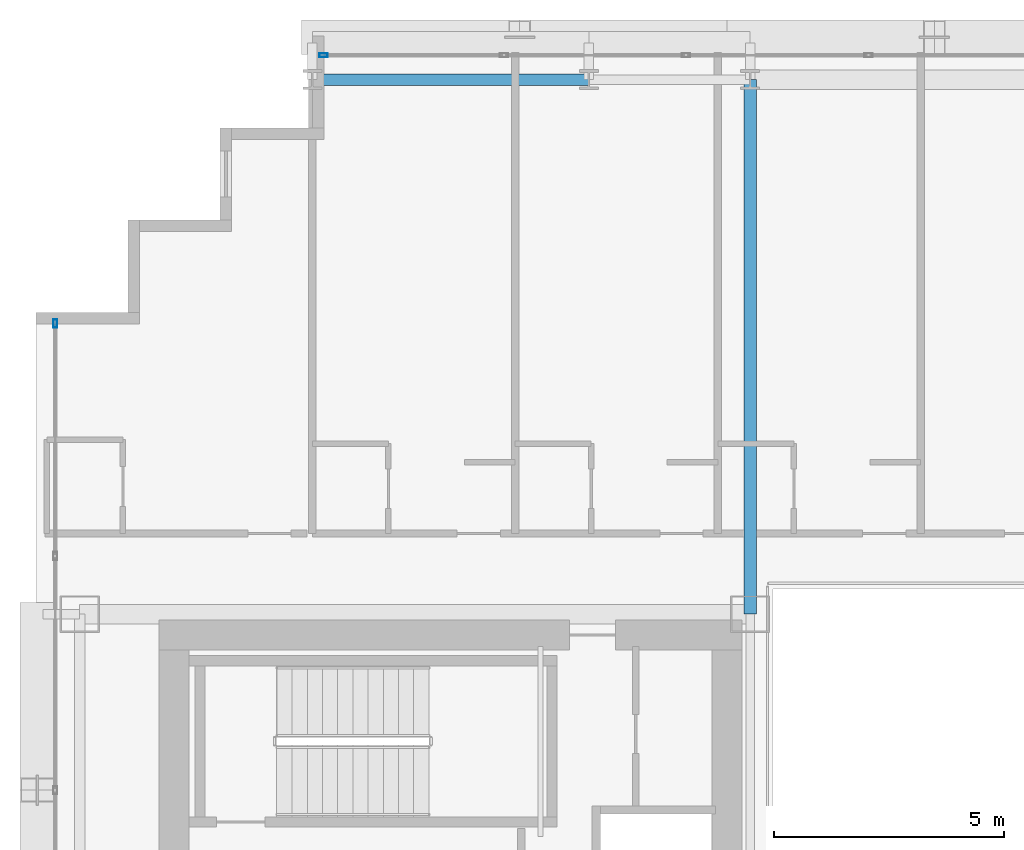
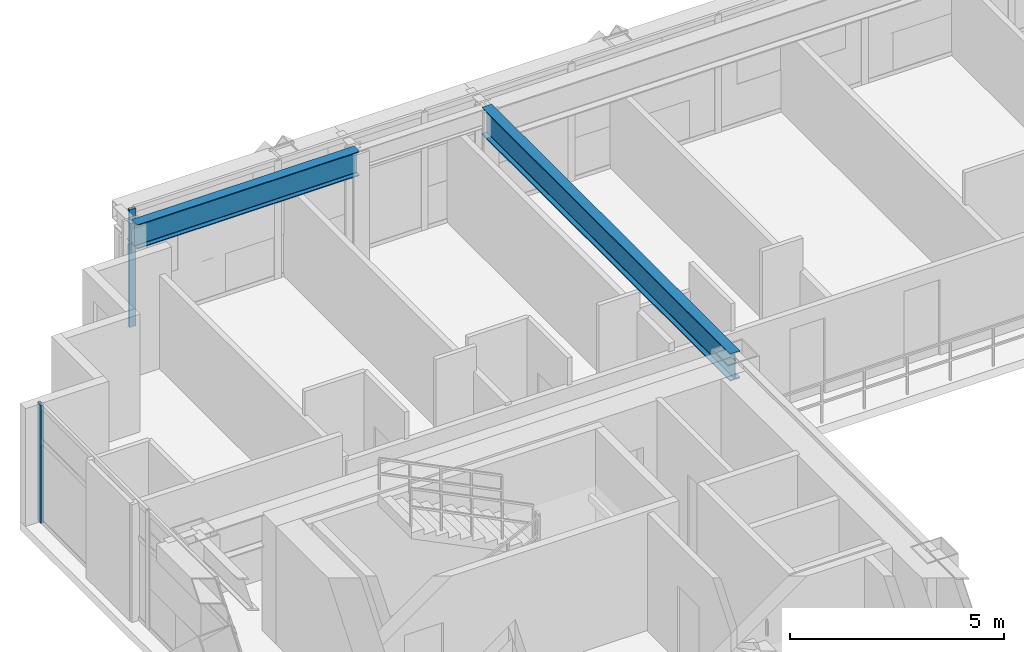
# One storey, part 17 of 36: 2 beams, 2 members, 2 elements without a shape of their own.
"""IFC4 building model written with IfcOpenShell, lengths in metres."""

import ifcopenshell
import ifcopenshell.guid

model = None  # the IFC model being written
_history = None  # IfcOwnerHistory: only IFC2X3 demands one
_inside = {}  # id of a spatial element -> (the spatial element, [elements in it])
_under = {}  # id of a project, library or spatial element -> (it, [spatial elements below it])
_declared = {}  # id of a project -> (the project, [libraries it declares])
_typed = {}  # id of a type object -> (the type object, [elements of that type])
_made_of = {}  # id of a material, layer set ... -> (it, [elements and type objects made of it])


def new_model(schema):
    """Start an empty IFC model of exactly this schema.

    Asked for "IFC4X3", IfcOpenShell would pick the latest addendum, in which some entities
    have other attributes; the version numbers below select the first issue.
    IFC2X3 requires an IfcOwnerHistory on every rooted entity: one is made here for all.
    """
    global model, _history
    if schema == "IFC4X3":
        model = ifcopenshell.file(schema_version=(4, 3, 0, 0))
    else:
        model = ifcopenshell.file(schema=schema)
    _inside.clear()
    _under.clear()
    _declared.clear()
    _typed.clear()
    _made_of.clear()
    _history = None
    if model.schema == "IFC2X3":
        org = make("IfcOrganization", Name="unknown")
        user = make(
            "IfcPersonAndOrganization",
            ThePerson=make("IfcPerson", FamilyName="unknown"),
            TheOrganization=org,
        )
        app = make(
            "IfcApplication",
            ApplicationDeveloper=org,
            Version="unknown",
            ApplicationFullName="unknown",
            ApplicationIdentifier="unknown",
        )
        _history = make(
            "IfcOwnerHistory",
            OwningUser=user,
            OwningApplication=app,
            ChangeAction="ADDED",
            CreationDate=0,
        )
    return model


def make(cls, **values):
    """One entity of the class cls with the attributes given. An attribute that is None is left unset."""
    return model.create_entity(
        cls, **{name: value for name, value in values.items() if value is not None}
    )


def rooted(cls, **values):
    """An entity with a GlobalId (a new one), such as an element, a storey or a relation."""
    return make(cls, GlobalId=ifcopenshell.guid.new(), OwnerHistory=_history, **values)


def si_unit(unit_type, name, prefix=None):
    """IfcSIUnit, for example si_unit("LENGTHUNIT", "METRE", prefix="MILLI")."""
    return make("IfcSIUnit", UnitType=unit_type, Prefix=prefix, Name=name)


def assignment(units):
    """IfcUnitAssignment: the units of a project."""
    return None if units is None else make("IfcUnitAssignment", Units=units)


def point(xyz):
    """IfcCartesianPoint."""
    return None if xyz is None else make("IfcCartesianPoint", Coordinates=xyz)


def direction(xyz):
    """IfcDirection."""
    return None if xyz is None else make("IfcDirection", DirectionRatios=xyz)


def frame(location, z_axis=None, x_axis=None):
    """IfcAxis2Placement3D, a coordinate frame: its origin and axes. An axis left out is left unset."""
    return make(
        "IfcAxis2Placement3D",
        Location=point(location),
        Axis=direction(z_axis),
        RefDirection=direction(x_axis),
    )


def frame_2d(location, x_axis=None):
    """IfcAxis2Placement2D, a coordinate frame in the plane: its origin and x axis."""
    return make(
        "IfcAxis2Placement2D", Location=point(location), RefDirection=direction(x_axis)
    )


def origin():
    """The frame at (0, 0, 0) with its axes left unset."""
    return frame((0.0, 0.0, 0.0))


def origin_2d():
    """The frame at (0, 0) in the plane with its x axis left unset."""
    return frame_2d((0.0, 0.0))


def place(relative_to, where):
    """IfcLocalPlacement: puts the frame where relative to a parent placement (None: the world)."""
    return make(
        "IfcLocalPlacement", PlacementRelTo=relative_to, RelativePlacement=where
    )


def context(
    kind, dimensions, precision=None, world=None, true_north=None, identifier=None
):
    """IfcGeometricRepresentationContext, for example the 3D "Model" context."""
    return make(
        "IfcGeometricRepresentationContext",
        ContextIdentifier=identifier,
        ContextType=kind,
        CoordinateSpaceDimension=dimensions,
        Precision=precision,
        WorldCoordinateSystem=world,
        TrueNorth=true_north,
    )


def subcontext(parent, identifier, kind, view, scale=None):
    """IfcGeometricRepresentationSubContext, for example "Body" below "Model"."""
    return make(
        "IfcGeometricRepresentationSubContext",
        ContextIdentifier=identifier,
        ContextType=kind,
        ParentContext=parent,
        TargetScale=scale,
        TargetView=view,
    )


def project(units=None, contexts=None):
    """IfcProject with its units and contexts."""
    return rooted(
        "IfcProject",
        Name="project",
        RepresentationContexts=contexts,
        UnitsInContext=assignment(units),
    )


def spatial(cls, under=None, at=None, **own):
    """A site, building, storey or space (cls), placed at a placement, below another one or the project."""
    s = rooted(cls, ObjectPlacement=at, **own)
    if under is not None:
        _under.setdefault(under.id(), (under, []))[1].append(s)
    return s


def profile(cls, at=None, kind="AREA", **sizes):
    """A parametric profile (cls). Its sizes go by their IFC names, for example OverallWidth=200.0."""
    return make(cls, ProfileType=kind, Position=at, **sizes)


def hollow_rectangle(**sizes):
    """IfcRectangleHollowProfileDef."""
    return profile("IfcRectangleHollowProfileDef", **sizes)


def i_section(**sizes):
    """IfcIShapeProfileDef."""
    return profile("IfcIShapeProfileDef", **sizes)


def extrude(swept, where, along, depth):
    """IfcExtrudedAreaSolid: the profile swept, set in the frame where, extruded along a direction by depth."""
    return make(
        "IfcExtrudedAreaSolid",
        SweptArea=swept,
        Position=where,
        ExtrudedDirection=direction(along),
        Depth=depth,
    )


def shape(context_of_items, identifier, shape_type, items):
    """IfcShapeRepresentation: the items that make up one representation, for example the "Body"."""
    return make(
        "IfcShapeRepresentation",
        ContextOfItems=context_of_items,
        RepresentationIdentifier=identifier,
        RepresentationType=shape_type,
        Items=items,
    )


def source(mapping_origin, context_of_items, identifier, shape_type, items):
    """IfcRepresentationMap: a shape defined once, which mapped items show again and again."""
    return make(
        "IfcRepresentationMap",
        MappingOrigin=mapping_origin,
        MappedRepresentation=shape(context_of_items, identifier, shape_type, items),
    )


def transform(
    local_origin,
    x_axis=None,
    y_axis=None,
    z_axis=None,
    scale=None,
    scale2=None,
    scale3=None,
    uniform=True,
):
    """IfcCartesianTransformationOperator3D, or its non-uniform kind. x_axis, y_axis, z_axis: its Axis1, 2, 3."""
    if uniform:
        return make(
            "IfcCartesianTransformationOperator3D",
            Axis1=direction(x_axis),
            Axis2=direction(y_axis),
            LocalOrigin=point(local_origin),
            Scale=scale,
            Axis3=direction(z_axis),
        )
    return make(
        "IfcCartesianTransformationOperator3DnonUniform",
        Axis1=direction(x_axis),
        Axis2=direction(y_axis),
        LocalOrigin=point(local_origin),
        Scale=scale,
        Axis3=direction(z_axis),
        Scale2=scale2,
        Scale3=scale3,
    )


def mapped(mapping_source, mapping_target):
    """IfcMappedItem: shows the shape of a source again, moved by a transform."""
    return make(
        "IfcMappedItem", MappingSource=mapping_source, MappingTarget=mapping_target
    )


def material(Name=None, Category=None):
    """IfcMaterial."""
    return make("IfcMaterial", Name=Name, Category=Category)


def layer(
    of_material, thickness, ventilated=None, Name=None, Category=None, Priority=None
):
    """IfcMaterialLayer: one layer of a wall or slab, of a material (None: an air gap)."""
    return make(
        "IfcMaterialLayer",
        Material=of_material,
        LayerThickness=thickness,
        IsVentilated=ventilated,
        Name=Name,
        Category=Category,
        Priority=Priority,
    )


def layer_set(layers, Name=None):
    """IfcMaterialLayerSet."""
    return make("IfcMaterialLayerSet", MaterialLayers=layers, LayerSetName=Name)


def material_profile(
    of_material, cross_section, Name=None, Category=None, Priority=None
):
    """IfcMaterialProfile: a cross section and its material."""
    return make(
        "IfcMaterialProfile",
        Name=Name,
        Material=of_material,
        Profile=cross_section,
        Priority=Priority,
        Category=Category,
    )


def profile_set(profiles, Name=None, composite=None):
    """IfcMaterialProfileSet."""
    return make(
        "IfcMaterialProfileSet",
        Name=Name,
        MaterialProfiles=profiles,
        CompositeProfile=composite,
    )


def made_of(thing, what):
    """Note that an element or type object is made of a material, layer set ...; save() writes the relation."""
    if what is not None:
        _made_of.setdefault(what.id(), (what, []))[1].append(thing)
    return thing


def type_object(cls, material=None, **own):
    """A type object (cls), such as IfcWallType, which elements share."""
    return made_of(rooted(cls, **own), material)


def element(
    cls,
    number,
    at=None,
    inside=None,
    cuts=None,
    type_object=None,
    material=None,
    context=None,
    identifier="Body",
    shape_type=None,
    held_by="IfcProductDefinitionShape",
    body=None,
    shapes=None,
    **own,
):
    """One element of the class cls, such as IfcWall. Its Tag is "e" and its number.

    at: its placement. inside: the storey or other place that contains it. cuts: it is an
    opening in that element (IfcRelVoidsElement). A single representation is given by context,
    identifier, shape_type and body (its items); several are given by shapes. held_by: the class
    of the entity that holds the representations. save() writes the other relations.
    """
    e = rooted(cls, Tag="e%d" % number, ObjectPlacement=at, **own)
    if body is not None:
        shapes = [shape(context, identifier, shape_type, body)]
    if shapes is not None:
        e.Representation = make(held_by, Representations=shapes)
    if inside is not None:
        _inside.setdefault(inside.id(), (inside, []))[1].append(e)
    if cuts is not None:
        rooted(
            "IfcRelVoidsElement", RelatingBuildingElement=cuts, RelatedOpeningElement=e
        )
    if type_object is not None:
        _typed.setdefault(type_object.id(), (type_object, []))[1].append(e)
    return made_of(e, material)


def aggregate(whole, parts):
    """IfcRelAggregates: a whole, such as a stair, and the parts it consists of."""
    return rooted("IfcRelAggregates", RelatingObject=whole, RelatedObjects=parts)


def save(model, path):
    """Write the relations noted so far, then the file.

    IfcRelAggregates (storeys below a building ...), IfcRelContainedInSpatialStructure (elements
    in a storey), IfcRelDefinesByType, IfcRelAssociatesMaterial and IfcRelDeclares: one each for
    every whole, place, type object, material and project.
    """
    for whole, parts in _under.values():
        aggregate(whole, parts)
    for where, things in _inside.values():
        rooted(
            "IfcRelContainedInSpatialStructure",
            RelatedElements=things,
            RelatingStructure=where,
        )
    for kind, things in _typed.values():
        rooted("IfcRelDefinesByType", RelatedObjects=things, RelatingType=kind)
    for what, things in _made_of.values():
        rooted("IfcRelAssociatesMaterial", RelatedObjects=things, RelatingMaterial=what)
    for by, libraries in _declared.values():
        rooted("IfcRelDeclares", RelatingContext=by, RelatedDefinitions=libraries)
    model.write(path)


model = new_model("IFC4")

# Units and contexts
model_context = context("Model", 3, precision=1e-05, world=origin(), true_north=direction((0.0, 1.0)))
body_context = subcontext(model_context, "Body", "Model", "MODEL_VIEW")
ifc_project = project(units=[si_unit("LENGTHUNIT", "METRE"), si_unit("AREAUNIT", "SQUARE_METRE"), si_unit("VOLUMEUNIT", "CUBIC_METRE"), si_unit("PLANEANGLEUNIT", "RADIAN"), si_unit("MASSUNIT", "GRAM", prefix="KILO")], contexts=[model_context])

# Site, building, storey
site_placement = place(None, origin())
site = spatial("IfcSite", under=ifc_project, at=site_placement, CompositionType="ELEMENT")
building_placement = place(site_placement, origin())
building = spatial("IfcBuilding", under=site, at=building_placement, Name="Ocotamira Hotel", CompositionType="ELEMENT")
storey_placement = place(building_placement, frame((0.0, 0.0, 133.199951171875)))
storey = spatial("IfcBuildingStorey", under=building, at=storey_placement, Name="L33", CompositionType="ELEMENT", Elevation=133.199951171875)

# Beams
ifc_material_1 = material(Name="Steel ASTM A992 Grade 50", Category="steel")
ifc_material_profile_1 = material_profile(ifc_material_1, i_section(OverallWidth=0.256103515625, OverallDepth=0.693115234375, WebThickness=0.014404296875, FlangeThickness=0.023681640625, FilletRadius=0.01611328125, at=origin_2d()), Name="W27X114")
ifc_profile_set_1 = profile_set([ifc_material_profile_1], Name="Steel ASTM A992 Grade 50")
beam_type_1 = type_object("IfcBeamType", Name="BM-PRIM-W27X114", PredefinedType="BEAM", material=ifc_profile_set_1)
shared_shape_1 = source(origin(), body_context, "Body", "SweptSolid", [
    extrude(i_section(OverallWidth=0.256103515625, OverallDepth=0.693115234375, WebThickness=0.014404296875, FlangeThickness=0.023681640625, FilletRadius=0.01611328125, at=origin_2d()), origin(), (0.0, 0.0, 1.0), 6.0),
])
beam_1_placement = place(storey_placement, frame((14.0, 49.050048828125, 3.013427734375), z_axis=(1.0, 0.0, 0.0), x_axis=(0.0, 1.0, 0.0)))
element("IfcBeam", 1, at=beam_1_placement, inside=storey, type_object=beam_type_1, Name="L33 Girder Y49.05 X14-20", PredefinedType="BEAM", context=body_context, shape_type="MappedRepresentation", body=[
    mapped(shared_shape_1, transform((0.0, 0.0, 0.0), scale=1.0)),
])
ifc_material_profile_2 = material_profile(ifc_material_1, i_section(OverallWidth=0.26611328125, OverallDepth=0.779052734375, WebThickness=0.0166015625, FlangeThickness=0.030029296875, FilletRadius=0.01806640625, at=origin_2d()), Name="W30X148")
ifc_profile_set_2 = profile_set([ifc_material_profile_2], Name="Steel ASTM A992 Grade 50")
beam_type_2 = type_object("IfcBeamType", Name="BM-GIRD-W30X148", PredefinedType="BEAM", material=ifc_profile_set_2)
shared_shape_2 = source(origin(), body_context, "Body", "SweptSolid", [
    extrude(i_section(OverallWidth=0.26611328125, OverallDepth=0.779052734375, WebThickness=0.0166015625, FlangeThickness=0.030029296875, FilletRadius=0.01806640625, at=origin_2d()), origin(), (0.0, 0.0, 1.0), 11.60009765625),
])
beam_2_placement = place(storey_placement, frame((23.5, 37.449951171875, 2.970458984375), z_axis=(0.0, 1.0, 0.0), x_axis=(-1.0, 0.0, 0.0)))
element("IfcBeam", 2, at=beam_2_placement, inside=storey, type_object=beam_type_2, Name="L33 Beam X23.5 Y37.45-49.05", PredefinedType="BEAM", context=body_context, shape_type="MappedRepresentation", body=[
    mapped(shared_shape_2, transform((0.0, 0.0, 0.0), scale=1.0)),
])

# Curtain wall, member
ifc_material_2 = material(Name="Anodised pale-metal aluminium and solar glass", Category="aluminium")
ifc_layer = layer(ifc_material_2, 0.179931640625)
ifc_layer_set = layer_set([ifc_layer], Name="Anodised pale-metal aluminium and solar glass")
curtain_wall_type = type_object("IfcCurtainWallType", Name="CW-SYS3-Z2", PredefinedType="NOTDEFINED", material=ifc_layer_set)
curtain_wall_1_placement = place(storey_placement, origin())
curtain_wall_1 = element("IfcCurtainWall", 3, at=curtain_wall_1_placement, inside=storey, type_object=curtain_wall_type, Name="L33 Curtain Wall CW-3 CW-L33-N", PredefinedType="NOTDEFINED")
ifc_material_3 = material(Name="Anodised pale-metal aluminium 6063-T6", Category="aluminium")
ifc_material_profile_3 = material_profile(ifc_material_3, hollow_rectangle(XDim=0.080078125, YDim=0.179931640625, WallThickness=0.006103515625, at=origin_2d()), Name="HSS180X80X6")
ifc_profile_set_3 = profile_set([ifc_material_profile_3], Name="Anodised pale-metal aluminium 6063-T6")
member_type = type_object("IfcMemberType", Name="CWM-180X75", PredefinedType="MULLION", material=ifc_profile_set_3)
shared_shape_3 = source(origin(), body_context, "Body", "SweptSolid", [
    extrude(hollow_rectangle(XDim=0.080078125, YDim=0.179931640625, WallThickness=0.006103515625, at=origin_2d()), origin(), (0.0, 0.0, 1.0), 3.360107421875),
])
member_1_placement = place(storey_placement, frame((14.239990234375, 49.580078125, 0.0), z_axis=(0.0, 0.0, 1.0), x_axis=(0.0, 1.0, 0.0)))
member_1 = element("IfcMember", 4, at=member_1_placement, type_object=member_type, Name="CW-3 mullion 1", PredefinedType="MULLION", context=body_context, shape_type="MappedRepresentation", body=[
    mapped(shared_shape_3, transform((0.0, 0.0, 0.0), scale=1.0)),
])
aggregate(curtain_wall_1, [member_1])

curtain_wall_2_placement = place(storey_placement, origin())
curtain_wall_2 = element("IfcCurtainWall", 5, at=curtain_wall_2_placement, inside=storey, type_object=curtain_wall_type, Name="L33 Curtain Wall CW-3 CW-L33-W", PredefinedType="NOTDEFINED")
member_2_placement = place(storey_placement, frame((8.419921875, 43.760009765625, 0.0), z_axis=(0.0, 0.0, 1.0), x_axis=(-1.0, 0.0, 0.0)))
member_2 = element("IfcMember", 6, at=member_2_placement, type_object=member_type, Name="CW-3 mullion 8", PredefinedType="MULLION", context=body_context, shape_type="MappedRepresentation", body=[
    mapped(shared_shape_3, transform((0.0, 0.0, 0.0), scale=1.0)),
])
aggregate(curtain_wall_2, [member_2])

save(model, "model.ifc")
